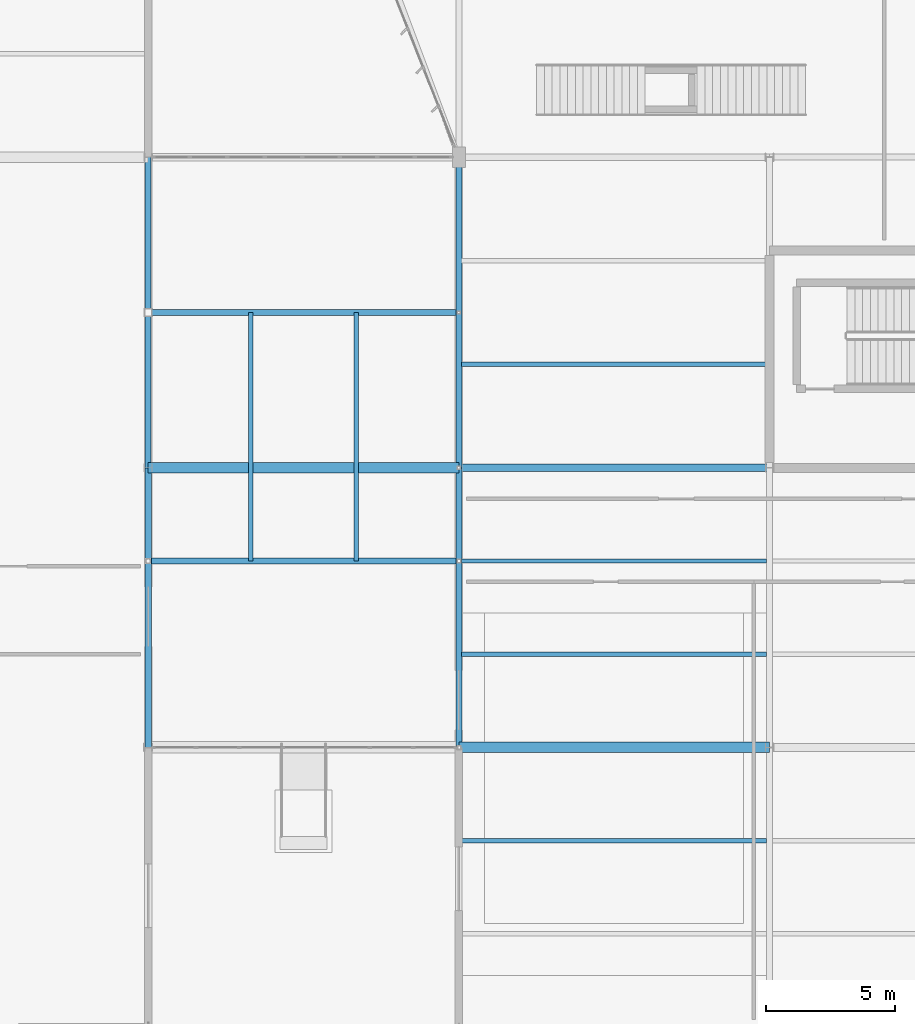
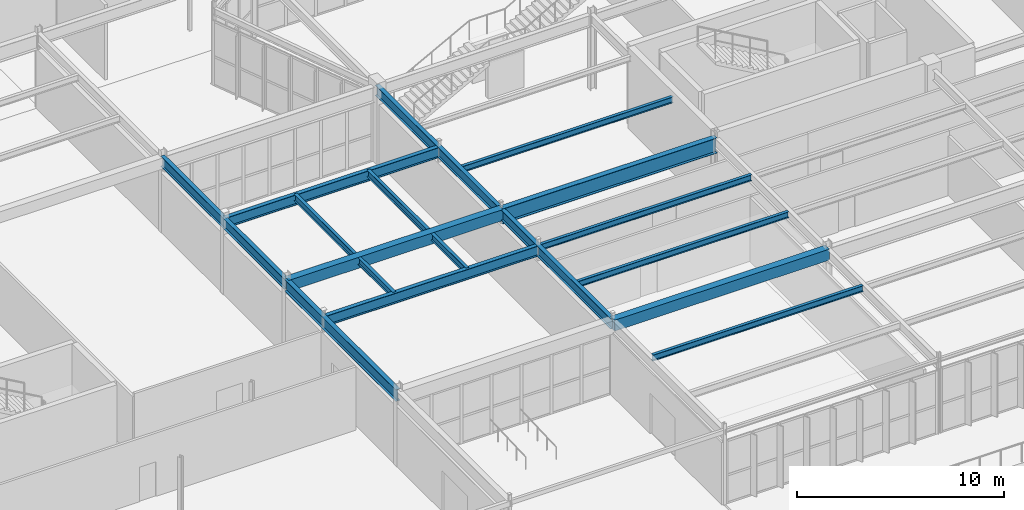
# One storey, part 89 of 199: 15 beams.
"""IFC4 building model written with IfcOpenShell, lengths in metres."""

from ifc_helpers import new_model, si_unit, direction, frame, origin, origin_2d, place, context, subcontext, project, spatial, rectangle, i_section, extrude, material, material_profile, profile_set, type_object, element, save


model = new_model("IFC4")

# Units and contexts
model_context = context("Model", 3, precision=1e-05, world=origin(), true_north=direction((0.0, 1.0)))
body_context = subcontext(model_context, "Body", "Model", "MODEL_VIEW")
ifc_project = project(units=[si_unit("LENGTHUNIT", "METRE"), si_unit("AREAUNIT", "SQUARE_METRE"), si_unit("VOLUMEUNIT", "CUBIC_METRE"), si_unit("PLANEANGLEUNIT", "RADIAN"), si_unit("MASSUNIT", "GRAM", prefix="KILO")], contexts=[model_context])

# Site, building, storey
site_placement = place(None, origin())
site = spatial("IfcSite", under=ifc_project, at=site_placement, CompositionType="ELEMENT")
building_placement = place(site_placement, origin())
building = spatial("IfcBuilding", under=site, at=building_placement, Name="Tarnwether General Hospital", CompositionType="ELEMENT")
storey_placement = place(building_placement, origin())
storey = spatial("IfcBuildingStorey", under=building, at=storey_placement, Name="L00", CompositionType="ELEMENT", Elevation=0.0)

# Beams
ifc_material_1 = material(Name="Steel Grade 350 (350 MPa)", Category="steel")
ifc_material_profile_1 = material_profile(ifc_material_1, i_section(OverallWidth=0.300048828125, OverallDepth=0.89990234375, WebThickness=0.011962890625, FlangeThickness=0.02001953125, at=origin_2d()), Name="900WB175")
ifc_profile_set_1 = profile_set([ifc_material_profile_1], Name="Steel Grade 350 (350 MPa)")
beam_type_1 = type_object("IfcBeamType", Name="BM-G01", PredefinedType="BEAM", material=ifc_profile_set_1)
beam_1_placement = place(storey_placement, frame((144.0, 21.60009765625, 3.9951171875), z_axis=(1.0, 0.0, 0.0), x_axis=(0.0, 1.0, 0.0)))
element("IfcBeam", 1, at=beam_1_placement, inside=storey, type_object=beam_type_1, Name="Primary Girder BMG-L00-14400_2160-15600_2160-0788", PredefinedType="BEAM", context=body_context, shape_type="SweptSolid", body=[
    extrude(i_section(OverallWidth=0.300048828125, OverallDepth=0.89990234375, WebThickness=0.011962890625, FlangeThickness=0.02001953125, at=origin_2d()), origin(), (0.0, 0.0, 1.0), 12.0),
])
ifc_material_2 = material(Name="Steel Grade 350 (350 MPa)", Category="steel")
ifc_material_profile_2 = material_profile(ifc_material_2, i_section(OverallWidth=0.25, OverallDepth=0.69189453125, WebThickness=0.009033203125, FlangeThickness=0.01611328125, at=origin_2d()), Name="700WB115")
ifc_profile_set_2 = profile_set([ifc_material_profile_2], Name="Steel Grade 350 (350 MPa)")
beam_type_2 = type_object("IfcBeamType", Name="BM-G02", PredefinedType="BEAM", material=ifc_profile_set_2)
beam_2_placement = place(storey_placement, frame((132.0, 10.800048828125, 4.09912109375), z_axis=(0.0, 1.0, 0.0), x_axis=(-1.0, 0.0, 0.0)))
element("IfcBeam", 2, at=beam_2_placement, inside=storey, type_object=beam_type_2, Name="Primary Girder BMG-L00-13200_1080-13200_2160-0769", PredefinedType="BEAM", context=body_context, shape_type="SweptSolid", body=[
    extrude(i_section(OverallWidth=0.25, OverallDepth=0.69189453125, WebThickness=0.009033203125, FlangeThickness=0.01611328125, at=origin_2d()), origin(), (0.0, 0.0, 1.0), 10.800048828125),
])
ifc_material_3 = material(Name="Steel Grade 350 (350 MPa)", Category="steel")
ifc_material_profile_3 = material_profile(ifc_material_3, i_section(OverallWidth=0.22900390625, OverallDepth=0.612060546875, WebThickness=0.011962890625, FlangeThickness=0.01953125, at=origin_2d()), Name="610UB125")
ifc_profile_set_3 = profile_set([ifc_material_profile_3], Name="Steel Grade 350 (350 MPa)")
beam_type_3 = type_object("IfcBeamType", Name="BM-G03", PredefinedType="BEAM", material=ifc_profile_set_3)
beam_3_placement = place(storey_placement, frame((132.0, 21.60009765625, 4.138916015625), z_axis=(0.0, 1.0, 0.0), x_axis=(-1.0, 0.0, 0.0)))
element("IfcBeam", 3, at=beam_3_placement, inside=storey, type_object=beam_type_3, Name="Primary Girder BMG-L00-13200_2160-13200_3360-0771", PredefinedType="BEAM", context=body_context, shape_type="SweptSolid", body=[
    extrude(i_section(OverallWidth=0.22900390625, OverallDepth=0.612060546875, WebThickness=0.011962890625, FlangeThickness=0.01953125, at=origin_2d()), origin(), (0.0, 0.0, 1.0), 12.0),
])
beam_4_placement = place(storey_placement, frame((144.0, 10.800048828125, 4.138916015625), z_axis=(0.0, 1.0, 0.0), x_axis=(-1.0, 0.0, 0.0)))
element("IfcBeam", 4, at=beam_4_placement, inside=storey, type_object=beam_type_3, Name="Primary Girder BMG-L00-14400_1080-14400_2160-0787", PredefinedType="BEAM", context=body_context, shape_type="SweptSolid", body=[
    extrude(i_section(OverallWidth=0.22900390625, OverallDepth=0.612060546875, WebThickness=0.011962890625, FlangeThickness=0.01953125, at=origin_2d()), origin(), (0.0, 0.0, 1.0), 10.800048828125),
])
for number, where, z_axis, x_axis, name in (
    (5, (132.0, 18.0, 4.138916015625), (1.0, 0.0, 0.0), (0.0, 1.0, 0.0), "Court Link Bridge Girder South BMG-L00-13200_1800-14400_1800-1854"),
    (6, (132.0, 27.60009765625, 4.138916015625), (1.0, 0.0, 0.0), (0.0, 1.0, 0.0), "Court Link Bridge Girder South BMG-L00-13200_2760-14400_2760-1855"),
):
    element("IfcBeam", number, at=place(storey_placement, frame(where, z_axis=z_axis, x_axis=x_axis)), inside=storey, type_object=beam_type_3, Name=name, PredefinedType="BEAM", context=body_context, shape_type="SweptSolid", body=[
        extrude(i_section(OverallWidth=0.22900390625, OverallDepth=0.612060546875, WebThickness=0.011962890625, FlangeThickness=0.01953125, at=origin_2d()), origin(), (0.0, 0.0, 1.0), 12.0),
    ])
ifc_material_4 = material(Name="Steel Grade 350 (350 MPa)", Category="steel")
ifc_material_profile_4 = material_profile(ifc_material_4, i_section(OverallWidth=0.22802734375, OverallDepth=0.60693359375, WebThickness=0.01123046875, FlangeThickness=0.017333984375, at=origin_2d()), Name="610UB113")
ifc_profile_set_4 = profile_set([ifc_material_profile_4], Name="Steel Grade 350 (350 MPa)")
beam_type_4 = type_object("IfcBeamType", Name="BM-G04", PredefinedType="BEAM", material=ifc_profile_set_4)
beam_5_placement = place(storey_placement, frame((144.0, 21.60009765625, 4.1416015625), z_axis=(0.0, 1.0, 0.0), x_axis=(-1.0, 0.0, 0.0)))
element("IfcBeam", 7, at=beam_5_placement, inside=storey, type_object=beam_type_4, Name="Primary Girder BMG-L00-14400_2160-14400_3360-0789", PredefinedType="BEAM", context=body_context, shape_type="SweptSolid", body=[
    extrude(i_section(OverallWidth=0.22802734375, OverallDepth=0.60693359375, WebThickness=0.01123046875, FlangeThickness=0.017333984375, at=origin_2d()), origin(), (0.0, 0.0, 1.0), 12.0),
])
ifc_material_5 = material(Name="Concrete 40 MPa", Category="concrete")
ifc_material_profile_5 = material_profile(ifc_material_5, rectangle(XDim=0.39990234375, YDim=0.64990234375, at=origin_2d()), Name="RC-BM-400x650")
ifc_profile_set_5 = profile_set([ifc_material_profile_5], Name="Concrete 40 MPa")
beam_type_5 = type_object("IfcBeamType", Name="BM-G14", PredefinedType="BEAM", material=ifc_profile_set_5)
for number, where, z_axis, x_axis, name in (
    (8, (132.0, 21.60009765625, 4.1201171875), (1.0, 0.0, 0.0), (0.0, 1.0, 0.0), "Primary Girder BMG-L00-13200_2160-14400_2160-0770"),
    (9, (144.0, 10.800048828125, 4.1201171875), (1.0, 0.0, 0.0), (0.0, 1.0, 0.0), "Primary Girder BMG-L00-14400_1080-15600_1080-0786"),
):
    element("IfcBeam", number, at=place(storey_placement, frame(where, z_axis=z_axis, x_axis=x_axis)), inside=storey, type_object=beam_type_5, Name=name, PredefinedType="BEAM", context=body_context, shape_type="SweptSolid", body=[
        extrude(rectangle(XDim=0.39990234375, YDim=0.64990234375, at=origin_2d()), origin(), (0.0, 0.0, 1.0), 12.0),
    ])
ifc_material_6 = material(Name="Steel Grade 350 (350 MPa)", Category="steel")
ifc_material_profile_6 = material_profile(ifc_material_6, i_section(OverallWidth=0.177978515625, OverallDepth=0.403076171875, WebThickness=0.007568359375, FlangeThickness=0.010986328125, at=origin_2d()), Name="410UB53.7")
ifc_profile_set_6 = profile_set([ifc_material_profile_6], Name="Steel Grade 350 (350 MPa)")
beam_type_6 = type_object("IfcBeamType", Name="BM-J02", PredefinedType="JOIST", material=ifc_profile_set_6)
for number, where, z_axis, x_axis, name in (
    (10, (135.9599609375, 18.0, 4.243408203125), (0.0, 1.0, 0.0), (-1.0, 0.0, 0.0), "Court Link Bridge Cross Beam South BMG-L00-13596_1800-13596_2760-1856"),
    (11, (140.0400390625, 18.0, 4.243408203125), (0.0, 1.0, 0.0), (-1.0, 0.0, 0.0), "Court Link Bridge Cross Beam South BMG-L00-14004_1800-14004_2760-1857"),
):
    element("IfcBeam", number, at=place(storey_placement, frame(where, z_axis=z_axis, x_axis=x_axis)), inside=storey, type_object=beam_type_6, Name=name, PredefinedType="JOIST", context=body_context, shape_type="SweptSolid", body=[
        extrude(i_section(OverallWidth=0.177978515625, OverallDepth=0.403076171875, WebThickness=0.007568359375, FlangeThickness=0.010986328125, at=origin_2d()), origin(), (0.0, 0.0, 1.0), 9.60009765625),
    ])
ifc_material_7 = material(Name="Steel Grade 350 (350 MPa)", Category="steel")
ifc_material_profile_7 = material_profile(ifc_material_7, i_section(OverallWidth=0.172119140625, OverallDepth=0.35888671875, WebThickness=0.008056640625, FlangeThickness=0.012939453125, at=origin_2d()), Name="360UB56.7")
ifc_profile_set_7 = profile_set([ifc_material_profile_7], Name="Steel Grade 350 (350 MPa)")
beam_type_7 = type_object("IfcBeamType", Name="BM-J03", PredefinedType="JOIST", material=ifc_profile_set_7)
beam_6_placement = place(storey_placement, frame((144.118896484375, 7.199951171875, 4.265380859375), z_axis=(1.0, 0.0, 0.0), x_axis=(0.0, 1.0, 0.0)))
element("IfcBeam", 12, at=beam_6_placement, inside=storey, type_object=beam_type_7, Name="Composite Floor Joist BMG-L00-14412_720-15589_720-0998", PredefinedType="JOIST", context=body_context, shape_type="SweptSolid", body=[
    extrude(i_section(OverallWidth=0.172119140625, OverallDepth=0.35888671875, WebThickness=0.008056640625, FlangeThickness=0.012939453125, at=origin_2d()), origin(), (0.0, 0.0, 1.0), 11.773193359375),
])
beam_7_placement = place(storey_placement, frame((144.10791015625, 14.39990234375, 4.265380859375), z_axis=(1.0, 0.0, 0.0), x_axis=(0.0, 1.0, 0.0)))
element("IfcBeam", 13, at=beam_7_placement, inside=storey, type_object=beam_type_7, Name="Composite Floor Joist BMG-L00-14411_1440-15589_1440-0999", PredefinedType="JOIST", context=body_context, shape_type="SweptSolid", body=[
    extrude(i_section(OverallWidth=0.172119140625, OverallDepth=0.35888671875, WebThickness=0.008056640625, FlangeThickness=0.012939453125, at=origin_2d()), origin(), (0.0, 0.0, 1.0), 11.7841796875),
])
ifc_material_8 = material(Name="Steel Grade 350 (350 MPa)", Category="steel")
ifc_material_profile_8 = material_profile(ifc_material_8, i_section(OverallWidth=0.1708984375, OverallDepth=0.35595703125, WebThickness=0.00732421875, FlangeThickness=0.011474609375, at=origin_2d()), Name="360UB50.7")
ifc_profile_set_8 = profile_set([ifc_material_profile_8], Name="Steel Grade 350 (350 MPa)")
beam_type_8 = type_object("IfcBeamType", Name="BM-J04", PredefinedType="JOIST", material=ifc_profile_set_8)
for number, where, z_axis, x_axis, name in (
    (14, (144.10791015625, 18.0, 4.26708984375), (1.0, 0.0, 0.0), (0.0, 1.0, 0.0), "Composite Floor Joist BMG-L00-14411_1800-15589_1800-1000"),
    (15, (144.10791015625, 25.60009765625, 4.26708984375), (1.0, 0.0, 0.0), (0.0, 1.0, 0.0), "Composite Floor Joist BMG-L00-14411_2560-15589_2560-1001"),
):
    element("IfcBeam", number, at=place(storey_placement, frame(where, z_axis=z_axis, x_axis=x_axis)), inside=storey, type_object=beam_type_8, Name=name, PredefinedType="JOIST", context=body_context, shape_type="SweptSolid", body=[
        extrude(i_section(OverallWidth=0.1708984375, OverallDepth=0.35595703125, WebThickness=0.00732421875, FlangeThickness=0.011474609375, at=origin_2d()), origin(), (0.0, 0.0, 1.0), 11.7841796875),
    ])

save(model, "model.ifc")
